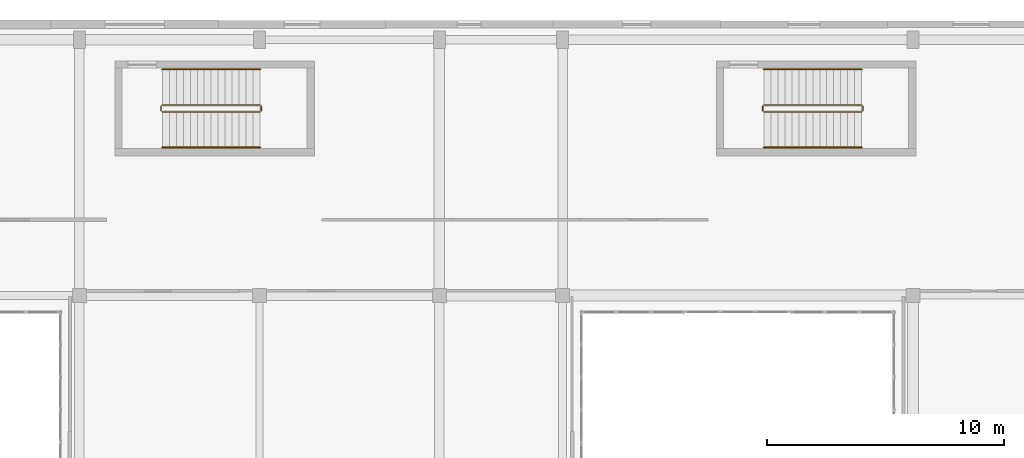
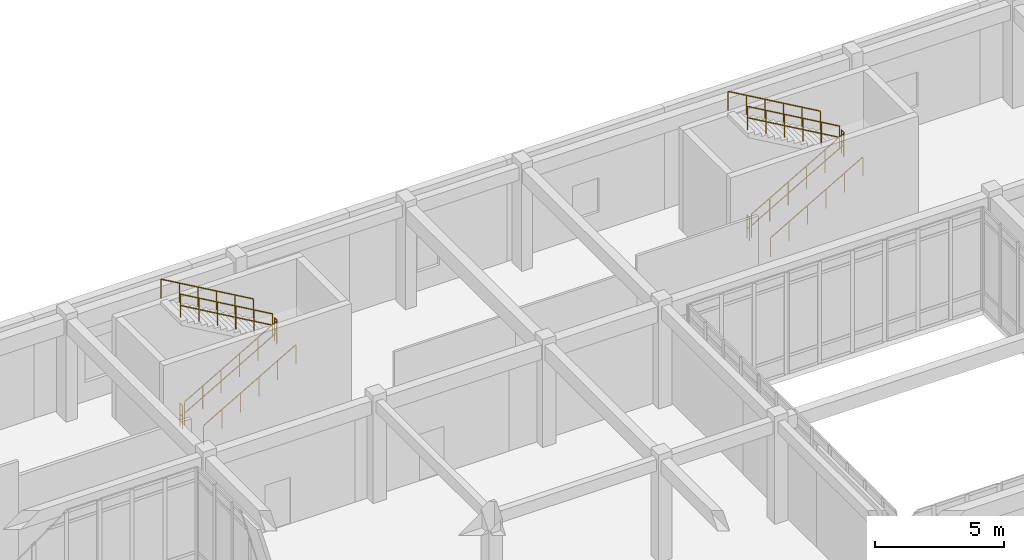
# One storey, part 119 of 121: 12 railings.
"""IFC4 building model written with IfcOpenShell, lengths in metres."""

from ifc_helpers import new_model, si_unit, direction, frame, origin, origin_2d, place, context, subcontext, project, spatial, circle, extrude, material, type_object, element, save


model = new_model("IFC4")

# Units and contexts
model_context = context("Model", 3, precision=1e-05, world=origin(), true_north=direction((0.0, 1.0)))
body_context = subcontext(model_context, "Body", "Model", "MODEL_VIEW")
ifc_project = project(units=[si_unit("LENGTHUNIT", "METRE"), si_unit("AREAUNIT", "SQUARE_METRE"), si_unit("VOLUMEUNIT", "CUBIC_METRE"), si_unit("PLANEANGLEUNIT", "RADIAN"), si_unit("MASSUNIT", "GRAM", prefix="KILO")], contexts=[model_context])

# Site, building, storey
site_placement = place(None, origin())
site = spatial("IfcSite", under=ifc_project, at=site_placement, CompositionType="ELEMENT")
building_placement = place(site_placement, origin())
building = spatial("IfcBuilding", under=site, at=building_placement, Name="Valcora Specialist Clinic", CompositionType="ELEMENT")
storey_placement = place(building_placement, origin())
storey = spatial("IfcBuildingStorey", under=building, at=storey_placement, Name="L00", CompositionType="ELEMENT", Elevation=0.0)

# Railings
ifc_material = material(Name="Stainless Steel AISI 316", Category="steel")
railing_type_1 = type_object("IfcRailingType", Name="TY-RL-GRD112", PredefinedType="GUARDRAIL", material=ifc_material)
railing_1_placement = place(storey_placement, frame((94.300048828125, 106.949951171875, 0.169921875)))
element("IfcRailing", 1, at=railing_1_placement, inside=storey, type_object=railing_type_1, Name="L00 ST-V4B stair guard 1", PredefinedType="GUARDRAIL", context=body_context, shape_type="SweptSolid", body=[
    extrude(circle(Radius=0.02392578125, at=origin_2d()), frame((0.0, 0.0, 1.09619140625), z_axis=(0.866412313535, 0.0, 0.499329253053), x_axis=(0.0, 1.0, 0.0)), (0.0, 0.0, 1.0), 4.7666015625),
    extrude(circle(Radius=0.02392578125, at=origin_2d()), frame((0.0, 0.0, 0.56005859375), z_axis=(0.866412313535, 0.0, 0.499329253053), x_axis=(0.0, 1.0, 0.0)), (0.0, 0.0, 1.0), 4.7666015625),
    extrude(circle(Radius=0.02099609375, at=origin_2d()), origin(), (0.0, 0.0, 1.0), 1.072021484375),
    extrude(circle(Radius=0.02099609375, at=origin_2d()), frame((0.825927734375, 0.0, 0.47607421875)), (0.0, 0.0, 1.0), 1.072021484375),
    extrude(circle(Radius=0.02099609375, at=origin_2d()), frame((1.65185546875, 0.0, 0.9521484375)), (0.0, 0.0, 1.0), 1.072021484375),
    extrude(circle(Radius=0.02099609375, at=origin_2d()), frame((2.47802734375, 0.0, 1.427978515625)), (0.0, 0.0, 1.0), 1.072021484375),
    extrude(circle(Radius=0.02099609375, at=origin_2d()), frame((3.303955078125, 0.0, 1.904052734375)), (0.0, 0.0, 1.0), 1.072021484375),
    extrude(circle(Radius=0.02099609375, at=origin_2d()), frame((4.1298828125, 0.0, 2.380126953125)), (0.0, 0.0, 1.0), 1.072021484375),
])
railing_2_placement = place(storey_placement, frame((98.47998046875, 107.0, 2.550048828125)))
element("IfcRailing", 2, at=railing_2_placement, inside=storey, type_object=railing_type_1, Name="L00 ST-V4B stair guard 2", PredefinedType="GUARDRAIL", context=body_context, shape_type="SweptSolid", body=[
    extrude(circle(Radius=0.02392578125, at=origin_2d()), frame((0.0, 0.0, 1.09619140625), z_axis=(0.0, 1.0, 0.0), x_axis=(-1.0, 0.0, 0.0)), (0.0, 0.0, 1.0), 0.199951171875),
    extrude(circle(Radius=0.02392578125, at=origin_2d()), frame((0.0, 0.0, 0.56005859375), z_axis=(0.0, 1.0, 0.0), x_axis=(-1.0, 0.0, 0.0)), (0.0, 0.0, 1.0), 0.199951171875),
    extrude(circle(Radius=0.02099609375, at=origin_2d()), origin(), (0.0, 0.0, 1.0), 1.072021484375),
    extrude(circle(Radius=0.02099609375, at=origin_2d()), frame((0.0, 0.199951171875, 0.0)), (0.0, 0.0, 1.0), 1.072021484375),
])
railing_3_placement = place(storey_placement, frame((98.429931640625, 107.25, 2.719970703125)))
element("IfcRailing", 3, at=railing_3_placement, inside=storey, type_object=railing_type_1, Name="L00 ST-V4B stair guard 3", PredefinedType="GUARDRAIL", context=body_context, shape_type="SweptSolid", body=[
    extrude(circle(Radius=0.02392578125, at=origin_2d()), frame((0.0, 0.0, 1.09619140625), z_axis=(-0.866412313535, 0.0, 0.499329253053), x_axis=(0.0, -1.0, 0.0)), (0.0, 0.0, 1.0), 4.7666015625),
    extrude(circle(Radius=0.02392578125, at=origin_2d()), frame((0.0, 0.0, 0.56005859375), z_axis=(-0.866412313535, 0.0, 0.499329253053), x_axis=(0.0, -1.0, 0.0)), (0.0, 0.0, 1.0), 4.7666015625),
    extrude(circle(Radius=0.02099609375, at=origin_2d()), origin(), (0.0, 0.0, 1.0), 1.072021484375),
    extrude(circle(Radius=0.02099609375, at=origin_2d()), frame((-0.825927734375, 0.0, 0.47607421875)), (0.0, 0.0, 1.0), 1.072021484375),
    extrude(circle(Radius=0.02099609375, at=origin_2d()), frame((-1.65185546875, 0.0, 0.9521484375)), (0.0, 0.0, 1.0), 1.072021484375),
    extrude(circle(Radius=0.02099609375, at=origin_2d()), frame((-2.47802734375, 0.0, 1.427978515625)), (0.0, 0.0, 1.0), 1.072021484375),
    extrude(circle(Radius=0.02099609375, at=origin_2d()), frame((-3.303955078125, 0.0, 1.904052734375)), (0.0, 0.0, 1.0), 1.072021484375),
    extrude(circle(Radius=0.02099609375, at=origin_2d()), frame((-4.1298828125, 0.0, 2.380126953125)), (0.0, 0.0, 1.0), 1.072021484375),
])
railing_4_placement = place(storey_placement, frame((94.25, 107.0, 0.0)))
element("IfcRailing", 4, at=railing_4_placement, inside=storey, type_object=railing_type_1, Name="L00 ST-V4B stair guard 4", PredefinedType="GUARDRAIL", context=body_context, shape_type="SweptSolid", body=[
    extrude(circle(Radius=0.02392578125, at=origin_2d()), frame((0.0, 0.0, 1.09619140625), z_axis=(0.0, 1.0, 0.0), x_axis=(-1.0, 0.0, 0.0)), (0.0, 0.0, 1.0), 0.199951171875),
    extrude(circle(Radius=0.02392578125, at=origin_2d()), frame((0.0, 0.0, 0.56005859375), z_axis=(0.0, 1.0, 0.0), x_axis=(-1.0, 0.0, 0.0)), (0.0, 0.0, 1.0), 0.199951171875),
    extrude(circle(Radius=0.02099609375, at=origin_2d()), origin(), (0.0, 0.0, 1.0), 1.072021484375),
    extrude(circle(Radius=0.02099609375, at=origin_2d()), frame((0.0, 0.199951171875, 0.0)), (0.0, 0.0, 1.0), 1.072021484375),
])
railing_5_placement = place(storey_placement, frame((119.699951171875, 106.949951171875, 0.169921875)))
element("IfcRailing", 5, at=railing_5_placement, inside=storey, type_object=railing_type_1, Name="L00 ST-V4C stair guard 1", PredefinedType="GUARDRAIL", context=body_context, shape_type="SweptSolid", body=[
    extrude(circle(Radius=0.02392578125, at=origin_2d()), frame((0.0, 0.0, 1.09619140625), z_axis=(0.866425082981, 0.0, 0.499307095465), x_axis=(0.0, 1.0, 0.0)), (0.0, 0.0, 1.0), 4.766845703125),
    extrude(circle(Radius=0.02392578125, at=origin_2d()), frame((0.0, 0.0, 0.56005859375), z_axis=(0.866425082981, 0.0, 0.499307095465), x_axis=(0.0, 1.0, 0.0)), (0.0, 0.0, 1.0), 4.766845703125),
    extrude(circle(Radius=0.02099609375, at=origin_2d()), origin(), (0.0, 0.0, 1.0), 1.072021484375),
    extrude(circle(Radius=0.02099609375, at=origin_2d()), frame((0.825927734375, 0.0, 0.47607421875)), (0.0, 0.0, 1.0), 1.072021484375),
    extrude(circle(Radius=0.02099609375, at=origin_2d()), frame((1.652099609375, 0.0, 0.9521484375)), (0.0, 0.0, 1.0), 1.072021484375),
    extrude(circle(Radius=0.02099609375, at=origin_2d()), frame((2.47802734375, 0.0, 1.427978515625)), (0.0, 0.0, 1.0), 1.072021484375),
    extrude(circle(Radius=0.02099609375, at=origin_2d()), frame((3.30419921875, 0.0, 1.904052734375)), (0.0, 0.0, 1.0), 1.072021484375),
    extrude(circle(Radius=0.02099609375, at=origin_2d()), frame((4.130126953125, 0.0, 2.380126953125)), (0.0, 0.0, 1.0), 1.072021484375),
])
railing_6_placement = place(storey_placement, frame((123.8798828125, 107.0, 2.550048828125)))
element("IfcRailing", 6, at=railing_6_placement, inside=storey, type_object=railing_type_1, Name="L00 ST-V4C stair guard 2", PredefinedType="GUARDRAIL", context=body_context, shape_type="SweptSolid", body=[
    extrude(circle(Radius=0.02392578125, at=origin_2d()), frame((0.0, 0.0, 1.09619140625), z_axis=(0.0, 1.0, 0.0), x_axis=(-1.0, 0.0, 0.0)), (0.0, 0.0, 1.0), 0.199951171875),
    extrude(circle(Radius=0.02392578125, at=origin_2d()), frame((0.0, 0.0, 0.56005859375), z_axis=(0.0, 1.0, 0.0), x_axis=(-1.0, 0.0, 0.0)), (0.0, 0.0, 1.0), 0.199951171875),
    extrude(circle(Radius=0.02099609375, at=origin_2d()), origin(), (0.0, 0.0, 1.0), 1.072021484375),
    extrude(circle(Radius=0.02099609375, at=origin_2d()), frame((0.0, 0.199951171875, 0.0)), (0.0, 0.0, 1.0), 1.072021484375),
])
railing_7_placement = place(storey_placement, frame((123.830078125, 107.25, 2.719970703125)))
element("IfcRailing", 7, at=railing_7_placement, inside=storey, type_object=railing_type_1, Name="L00 ST-V4C stair guard 3", PredefinedType="GUARDRAIL", context=body_context, shape_type="SweptSolid", body=[
    extrude(circle(Radius=0.02392578125, at=origin_2d()), frame((0.0, 0.0, 1.09619140625), z_axis=(-0.866425082981, 0.0, 0.499307095465), x_axis=(0.0, -1.0, 0.0)), (0.0, 0.0, 1.0), 4.766845703125),
    extrude(circle(Radius=0.02392578125, at=origin_2d()), frame((0.0, 0.0, 0.56005859375), z_axis=(-0.866425082981, 0.0, 0.499307095465), x_axis=(0.0, -1.0, 0.0)), (0.0, 0.0, 1.0), 4.766845703125),
    extrude(circle(Radius=0.02099609375, at=origin_2d()), origin(), (0.0, 0.0, 1.0), 1.072021484375),
    extrude(circle(Radius=0.02099609375, at=origin_2d()), frame((-0.825927734375, 0.0, 0.47607421875)), (0.0, 0.0, 1.0), 1.072021484375),
    extrude(circle(Radius=0.02099609375, at=origin_2d()), frame((-1.652099609375, 0.0, 0.9521484375)), (0.0, 0.0, 1.0), 1.072021484375),
    extrude(circle(Radius=0.02099609375, at=origin_2d()), frame((-2.47802734375, 0.0, 1.427978515625)), (0.0, 0.0, 1.0), 1.072021484375),
    extrude(circle(Radius=0.02099609375, at=origin_2d()), frame((-3.30419921875, 0.0, 1.904052734375)), (0.0, 0.0, 1.0), 1.072021484375),
    extrude(circle(Radius=0.02099609375, at=origin_2d()), frame((-4.130126953125, 0.0, 2.380126953125)), (0.0, 0.0, 1.0), 1.072021484375),
])
railing_8_placement = place(storey_placement, frame((119.64990234375, 107.0, 0.0)))
element("IfcRailing", 8, at=railing_8_placement, inside=storey, type_object=railing_type_1, Name="L00 ST-V4C stair guard 4", PredefinedType="GUARDRAIL", context=body_context, shape_type="SweptSolid", body=[
    extrude(circle(Radius=0.02392578125, at=origin_2d()), frame((0.0, 0.0, 1.09619140625), z_axis=(0.0, 1.0, 0.0), x_axis=(-1.0, 0.0, 0.0)), (0.0, 0.0, 1.0), 0.199951171875),
    extrude(circle(Radius=0.02392578125, at=origin_2d()), frame((0.0, 0.0, 0.56005859375), z_axis=(0.0, 1.0, 0.0), x_axis=(-1.0, 0.0, 0.0)), (0.0, 0.0, 1.0), 0.199951171875),
    extrude(circle(Radius=0.02099609375, at=origin_2d()), origin(), (0.0, 0.0, 1.0), 1.072021484375),
    extrude(circle(Radius=0.02099609375, at=origin_2d()), frame((0.0, 0.199951171875, 0.0)), (0.0, 0.0, 1.0), 1.072021484375),
])
railing_type_2 = type_object("IfcRailingType", Name="TY-RL-HND092", PredefinedType="HANDRAIL", material=ifc_material)
railing_9_placement = place(storey_placement, frame((94.300048828125, 105.449951171875, 0.169921875)))
element("IfcRailing", 9, at=railing_9_placement, inside=storey, type_object=railing_type_2, Name="L00 ST-V4B stair handrail 1", PredefinedType="HANDRAIL", context=body_context, shape_type="SweptSolid", body=[
    extrude(circle(Radius=0.02392578125, at=origin_2d()), frame((0.0, 0.0, 0.89599609375), z_axis=(0.866412313535, 0.0, 0.499329253053), x_axis=(0.0, 1.0, 0.0)), (0.0, 0.0, 1.0), 4.7666015625),
    extrude(circle(Radius=0.02099609375, at=origin_2d()), origin(), (0.0, 0.0, 1.0), 0.871826171875),
    extrude(circle(Radius=0.02099609375, at=origin_2d()), frame((0.825927734375, 0.0, 0.47607421875)), (0.0, 0.0, 1.0), 0.871826171875),
    extrude(circle(Radius=0.02099609375, at=origin_2d()), frame((1.65185546875, 0.0, 0.9521484375)), (0.0, 0.0, 1.0), 0.871826171875),
    extrude(circle(Radius=0.02099609375, at=origin_2d()), frame((2.47802734375, 0.0, 1.427978515625)), (0.0, 0.0, 1.0), 0.871826171875),
    extrude(circle(Radius=0.02099609375, at=origin_2d()), frame((3.303955078125, 0.0, 1.904052734375)), (0.0, 0.0, 1.0), 0.871826171875),
    extrude(circle(Radius=0.02099609375, at=origin_2d()), frame((4.1298828125, 0.0, 2.380126953125)), (0.0, 0.0, 1.0), 0.871826171875),
])
railing_10_placement = place(storey_placement, frame((98.429931640625, 108.75, 2.719970703125)))
element("IfcRailing", 10, at=railing_10_placement, inside=storey, type_object=railing_type_2, Name="L00 ST-V4B stair handrail 2", PredefinedType="HANDRAIL", context=body_context, shape_type="SweptSolid", body=[
    extrude(circle(Radius=0.02392578125, at=origin_2d()), frame((0.0, 0.0, 0.89599609375), z_axis=(-0.866412313535, 0.0, 0.499329253053), x_axis=(0.0, -1.0, 0.0)), (0.0, 0.0, 1.0), 4.7666015625),
    extrude(circle(Radius=0.02099609375, at=origin_2d()), origin(), (0.0, 0.0, 1.0), 0.871826171875),
    extrude(circle(Radius=0.02099609375, at=origin_2d()), frame((-0.825927734375, 0.0, 0.47607421875)), (0.0, 0.0, 1.0), 0.871826171875),
    extrude(circle(Radius=0.02099609375, at=origin_2d()), frame((-1.65185546875, 0.0, 0.9521484375)), (0.0, 0.0, 1.0), 0.871826171875),
    extrude(circle(Radius=0.02099609375, at=origin_2d()), frame((-2.47802734375, 0.0, 1.427978515625)), (0.0, 0.0, 1.0), 0.871826171875),
    extrude(circle(Radius=0.02099609375, at=origin_2d()), frame((-3.303955078125, 0.0, 1.904052734375)), (0.0, 0.0, 1.0), 0.871826171875),
    extrude(circle(Radius=0.02099609375, at=origin_2d()), frame((-4.1298828125, 0.0, 2.380126953125)), (0.0, 0.0, 1.0), 0.871826171875),
])
railing_11_placement = place(storey_placement, frame((119.699951171875, 105.449951171875, 0.169921875)))
element("IfcRailing", 11, at=railing_11_placement, inside=storey, type_object=railing_type_2, Name="L00 ST-V4C stair handrail 1", PredefinedType="HANDRAIL", context=body_context, shape_type="SweptSolid", body=[
    extrude(circle(Radius=0.02392578125, at=origin_2d()), frame((0.0, 0.0, 0.89599609375), z_axis=(0.866425082981, 0.0, 0.499307095465), x_axis=(0.0, 1.0, 0.0)), (0.0, 0.0, 1.0), 4.766845703125),
    extrude(circle(Radius=0.02099609375, at=origin_2d()), origin(), (0.0, 0.0, 1.0), 0.871826171875),
    extrude(circle(Radius=0.02099609375, at=origin_2d()), frame((0.825927734375, 0.0, 0.47607421875)), (0.0, 0.0, 1.0), 0.871826171875),
    extrude(circle(Radius=0.02099609375, at=origin_2d()), frame((1.652099609375, 0.0, 0.9521484375)), (0.0, 0.0, 1.0), 0.871826171875),
    extrude(circle(Radius=0.02099609375, at=origin_2d()), frame((2.47802734375, 0.0, 1.427978515625)), (0.0, 0.0, 1.0), 0.871826171875),
    extrude(circle(Radius=0.02099609375, at=origin_2d()), frame((3.30419921875, 0.0, 1.904052734375)), (0.0, 0.0, 1.0), 0.871826171875),
    extrude(circle(Radius=0.02099609375, at=origin_2d()), frame((4.130126953125, 0.0, 2.380126953125)), (0.0, 0.0, 1.0), 0.871826171875),
])
railing_12_placement = place(storey_placement, frame((123.830078125, 108.75, 2.719970703125)))
element("IfcRailing", 12, at=railing_12_placement, inside=storey, type_object=railing_type_2, Name="L00 ST-V4C stair handrail 2", PredefinedType="HANDRAIL", context=body_context, shape_type="SweptSolid", body=[
    extrude(circle(Radius=0.02392578125, at=origin_2d()), frame((0.0, 0.0, 0.89599609375), z_axis=(-0.866425082981, 0.0, 0.499307095465), x_axis=(0.0, -1.0, 0.0)), (0.0, 0.0, 1.0), 4.766845703125),
    extrude(circle(Radius=0.02099609375, at=origin_2d()), origin(), (0.0, 0.0, 1.0), 0.871826171875),
    extrude(circle(Radius=0.02099609375, at=origin_2d()), frame((-0.825927734375, 0.0, 0.47607421875)), (0.0, 0.0, 1.0), 0.871826171875),
    extrude(circle(Radius=0.02099609375, at=origin_2d()), frame((-1.652099609375, 0.0, 0.9521484375)), (0.0, 0.0, 1.0), 0.871826171875),
    extrude(circle(Radius=0.02099609375, at=origin_2d()), frame((-2.47802734375, 0.0, 1.427978515625)), (0.0, 0.0, 1.0), 0.871826171875),
    extrude(circle(Radius=0.02099609375, at=origin_2d()), frame((-3.30419921875, 0.0, 1.904052734375)), (0.0, 0.0, 1.0), 0.871826171875),
    extrude(circle(Radius=0.02099609375, at=origin_2d()), frame((-4.130126953125, 0.0, 2.380126953125)), (0.0, 0.0, 1.0), 0.871826171875),
])

save(model, "model.ifc")
